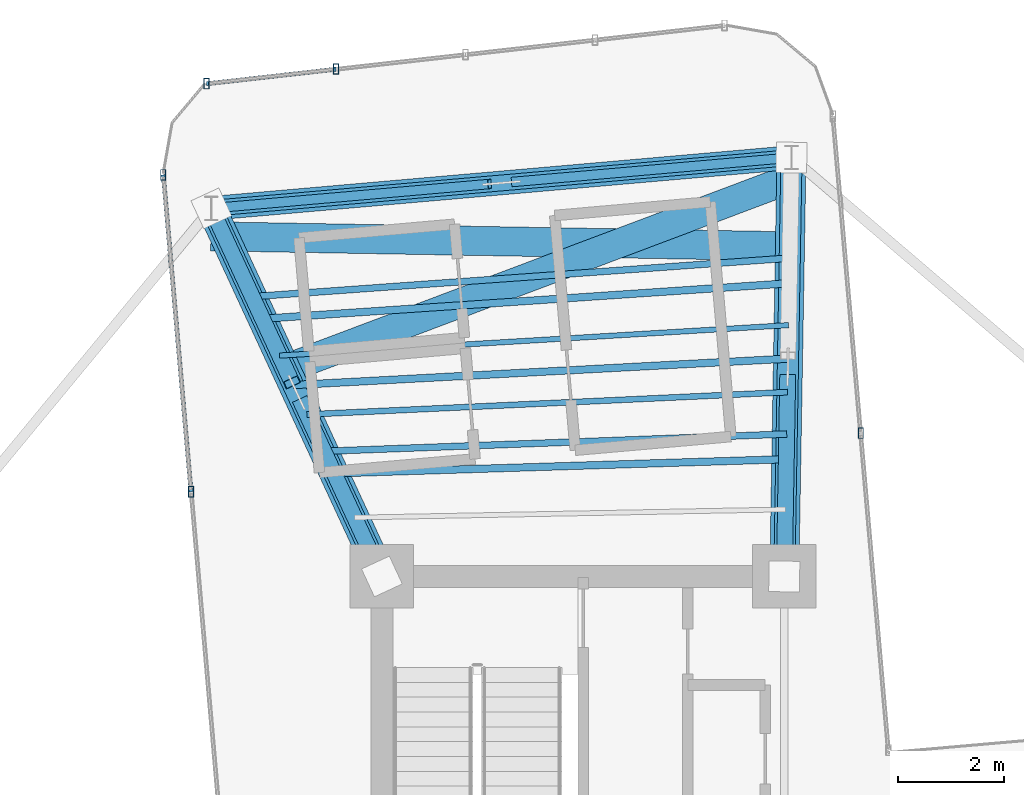
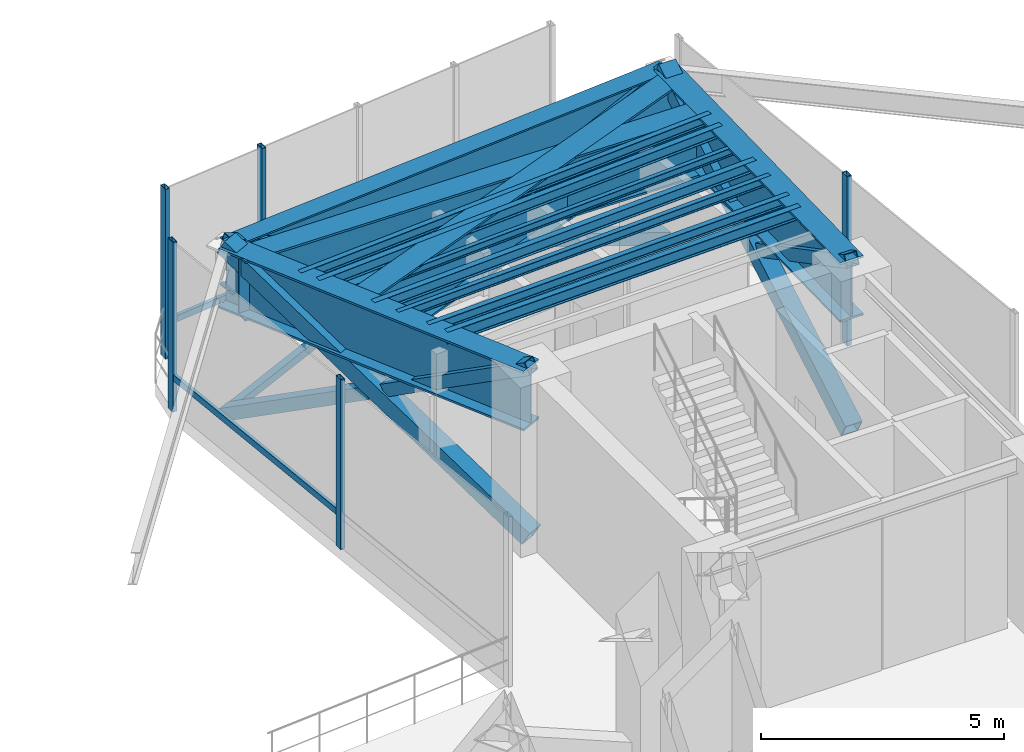
# One storey, part 9 of 17: 15 members, 12 beams, 3 elements without a shape of their own.
"""IFC4 building model written with IfcOpenShell, lengths in metres."""

from ifc_helpers import new_model, si_unit, direction, frame, origin, origin_2d, place, context, subcontext, project, spatial, hollow_rectangle, i_section, extrude, source, transform, mapped, material, material_profile, profile_set, type_object, element, aggregate, save


model = new_model("IFC4")

# Units and contexts
model_context = context("Model", 3, precision=1e-05, world=origin(), true_north=direction((0.0, 1.0)))
body_context = subcontext(model_context, "Body", "Model", "MODEL_VIEW")
ifc_project = project(units=[si_unit("LENGTHUNIT", "METRE"), si_unit("AREAUNIT", "SQUARE_METRE"), si_unit("VOLUMEUNIT", "CUBIC_METRE"), si_unit("PLANEANGLEUNIT", "RADIAN"), si_unit("MASSUNIT", "GRAM", prefix="KILO")], contexts=[model_context])

# Site, building, storey
site_placement = place(None, origin())
site = spatial("IfcSite", under=ifc_project, at=site_placement, CompositionType="ELEMENT")
building_placement = place(site_placement, origin())
building = spatial("IfcBuilding", under=site, at=building_placement, Name="Sahyath Konkavel Grand Hotel", CompositionType="ELEMENT")
storey_placement = place(building_placement, frame((0.0, 0.0, 202.0)))
storey = spatial("IfcBuildingStorey", under=building, at=storey_placement, Name="L56", CompositionType="ELEMENT", Elevation=202.0)

# Beams
ifc_material_1 = material(Name="Steel E350", Category="steel")
ifc_material_profile_1 = material_profile(ifc_material_1, i_section(OverallWidth=0.139892578125, OverallDepth=0.300048828125, WebThickness=0.0078125, FlangeThickness=0.01318359375, FilletRadius=0.013916015625, at=origin_2d()), Name="ISMB 300")
ifc_profile_set_1 = profile_set([ifc_material_profile_1], Name="Steel E350")
beam_type_1 = type_object("IfcBeamType", Name="BM-ISMB300", PredefinedType="BEAM", material=ifc_profile_set_1)
shared_shape_1 = source(origin(), body_context, "Body", "SweptSolid", [
    extrude(i_section(OverallWidth=0.139892578125, OverallDepth=0.300048828125, WebThickness=0.0078125, FlangeThickness=0.01318359375, FilletRadius=0.013916015625, at=origin_2d()), origin(), (0.0, 0.0, 1.0), 8.54443359375),
])
beam_1_placement = place(storey_placement, frame((3.838134765625, 12.415283203125, 4.110107421875), z_axis=(-0.999506849365, -0.031401561632, 0.0), x_axis=(0.031401561632, -0.999506849365, 0.0)))
element("IfcBeam", 1, at=beam_1_placement, inside=storey, type_object=beam_type_1, Name="L56 Secondary Floor Beam N-1", PredefinedType="BEAM", context=body_context, shape_type="MappedRepresentation", body=[
    mapped(shared_shape_1, transform((0.0, 0.0, 0.0), scale=1.0)),
])
ifc_material_profile_2 = material_profile(ifc_material_1, i_section(OverallWidth=0.139892578125, OverallDepth=0.27490234375, WebThickness=0.00634765625, FlangeThickness=0.0087890625, FilletRadius=0.012939453125, at=origin_2d()), Name="ISLB 275")
ifc_profile_set_2 = profile_set([ifc_material_profile_2], Name="Steel E350")
beam_type_2 = type_object("IfcBeamType", Name="BM-ISLB275", PredefinedType="BEAM", material=ifc_profile_set_2)
shared_shape_2 = source(origin(), body_context, "Body", "SweptSolid", [
    extrude(i_section(OverallWidth=0.139892578125, OverallDepth=0.27490234375, WebThickness=0.00634765625, FlangeThickness=0.0087890625, FilletRadius=0.012939453125, at=origin_2d()), origin(), (0.0, 0.0, 1.0), 9.359375),
])
beam_2_placement = place(storey_placement, frame((3.870849609375, 14.314208984375, 4.12255859375), z_axis=(-0.998580397723, -0.053265272769, 0.0), x_axis=(0.053265272769, -0.998580397723, 0.0)))
element("IfcBeam", 2, at=beam_2_placement, inside=storey, type_object=beam_type_2, Name="L56 Secondary Floor Beam N-2", PredefinedType="BEAM", context=body_context, shape_type="MappedRepresentation", body=[
    mapped(shared_shape_2, transform((0.0, 0.0, 0.0), scale=1.0)),
])
ifc_material_profile_3 = material_profile(ifc_material_1, i_section(OverallWidth=0.125, OverallDepth=0.25, WebThickness=0.0068359375, FlangeThickness=0.012451171875, FilletRadius=0.012939453125, at=origin_2d()), Name="ISMB 250")
ifc_profile_set_3 = profile_set([ifc_material_profile_3], Name="Steel E350")
beam_type_3 = type_object("IfcBeamType", Name="BM-ISMB250", PredefinedType="BEAM", material=ifc_profile_set_3)
shared_shape_3 = source(origin(), body_context, "Body", "SweptSolid", [
    extrude(i_section(OverallWidth=0.125, OverallDepth=0.25, WebThickness=0.0068359375, FlangeThickness=0.012451171875, FilletRadius=0.012939453125, at=origin_2d()), origin(), (0.0, 0.0, 1.0), 10.178466796875),
])
beam_3_placement = place(storey_placement, frame((3.90380859375, 16.213134765625, 4.135009765625), z_axis=(-0.997435268886, -0.071574327683, 0.0), x_axis=(0.071574327683, -0.997435268886, 0.0)))
element("IfcBeam", 3, at=beam_3_placement, inside=storey, type_object=beam_type_3, Name="L56 Secondary Floor Beam N-3", PredefinedType="BEAM", context=body_context, shape_type="MappedRepresentation", body=[
    mapped(shared_shape_3, transform((0.0, 0.0, 0.0), scale=1.0)),
])
ifc_material_2 = material(Name="Steel E450", Category="steel")
ifc_material_profile_4 = material_profile(ifc_material_2, i_section(OverallWidth=0.550048828125, OverallDepth=1.5, WebThickness=0.028076171875, FlangeThickness=0.050048828125, at=origin_2d()), Name="BPG 1500x550")
ifc_profile_set_4 = profile_set([ifc_material_profile_4], Name="Steel E450")
beam_type_4 = type_object("IfcBeamType", Name="BM-BPG1500", PredefinedType="BEAM", material=ifc_profile_set_4)
shared_shape_4 = source(origin(), body_context, "Body", "SweptSolid", [
    extrude(i_section(OverallWidth=0.550048828125, OverallDepth=1.5, WebThickness=0.028076171875, FlangeThickness=0.050048828125, at=origin_2d()), origin(), (0.0, 0.0, 1.0), 7.913330078125),
])
beam_4_placement = place(storey_placement, frame((3.800048828125, 10.199951171875, 3.510009765625), z_axis=(0.017215419232, 0.999851803689, 0.0), x_axis=(-0.999851803689, 0.017215419232, 0.0)))
element("IfcBeam", 4, at=beam_4_placement, inside=storey, type_object=beam_type_4, Name="L56 Setback Transfer Girder NA", PredefinedType="BEAM", context=body_context, shape_type="MappedRepresentation", body=[
    mapped(shared_shape_4, transform((0.0, 0.0, 0.0), scale=1.0)),
])
shared_shape_5 = source(origin(), body_context, "Body", "SweptSolid", [
    extrude(i_section(OverallWidth=0.550048828125, OverallDepth=1.5, WebThickness=0.028076171875, FlangeThickness=0.050048828125, at=origin_2d()), origin(), (0.0, 0.0, 1.0), 7.66357421875),
])
beam_5_placement = place(storey_placement, frame((-3.800048828125, 10.199951171875, 3.510009765625), z_axis=(-0.420395127561, 0.907341135804, 0.0), x_axis=(-0.907341135804, -0.420395127561, 0.0)))
element("IfcBeam", 5, at=beam_5_placement, inside=storey, type_object=beam_type_4, Name="L56 Setback Transfer Girder NB", PredefinedType="BEAM", context=body_context, shape_type="MappedRepresentation", body=[
    mapped(shared_shape_5, transform((0.0, 0.0, 0.0), scale=1.0)),
])
shared_shape_6 = source(origin(), body_context, "Body", "SweptSolid", [
    extrude(i_section(OverallWidth=0.550048828125, OverallDepth=1.5, WebThickness=0.028076171875, FlangeThickness=0.050048828125, at=origin_2d()), origin(), (0.0, 0.0, 1.0), 10.200927734375),
])
beam_6_placement = place(storey_placement, frame((3.9296875, 17.71630859375, 3.510009765625), z_axis=(-0.935879914004, -0.35231915441, 0.0), x_axis=(0.35231915441, -0.935879914004, 0.0)))
element("IfcBeam", 6, at=beam_6_placement, inside=storey, type_object=beam_type_4, Name="L56 Setback Cross Transfer Girder N-1", PredefinedType="BEAM", context=body_context, shape_type="MappedRepresentation", body=[
    mapped(shared_shape_6, transform((0.0, 0.0, 0.0), scale=1.0)),
])
shared_shape_7 = source(origin(), body_context, "Body", "SweptSolid", [
    extrude(i_section(OverallWidth=0.550048828125, OverallDepth=1.5, WebThickness=0.028076171875, FlangeThickness=0.050048828125, at=origin_2d()), origin(), (0.0, 0.0, 1.0), 10.939208984375),
])
beam_7_placement = place(storey_placement, frame((3.907470703125, 16.43603515625, 3.510009765625), z_axis=(-0.999851559685, 0.017229584912, 0.0), x_axis=(-0.017229584912, -0.999851559685, 0.0)))
element("IfcBeam", 7, at=beam_7_placement, inside=storey, type_object=beam_type_4, Name="L56 Setback Cross Transfer Girder N-2", PredefinedType="BEAM", context=body_context, shape_type="MappedRepresentation", body=[
    mapped(shared_shape_7, transform((0.0, 0.0, 0.0), scale=1.0)),
])
ifc_material_profile_5 = material_profile(ifc_material_2, i_section(OverallWidth=0.449951171875, OverallDepth=1.199951171875, WebThickness=0.02197265625, FlangeThickness=0.0400390625, at=origin_2d()), Name="BPG 1200x450")
ifc_profile_set_5 = profile_set([ifc_material_profile_5], Name="Steel E450")
beam_type_5 = type_object("IfcBeamType", Name="BM-BPG1200", PredefinedType="BEAM", material=ifc_profile_set_5)
shared_shape_8 = source(origin(), body_context, "Body", "SweptSolid", [
    extrude(i_section(OverallWidth=0.449951171875, OverallDepth=1.199951171875, WebThickness=0.02197265625, FlangeThickness=0.0400390625, at=origin_2d()), origin(), (0.0, 0.0, 1.0), 10.999755859375),
])
beam_8_placement = place(storey_placement, frame((3.936279296875, 18.112060546875, 3.659912109375), z_axis=(-0.99619439202, -0.087159241098, 0.0), x_axis=(0.087159241098, -0.99619439202, 0.0)))
element("IfcBeam", 8, at=beam_8_placement, inside=storey, type_object=beam_type_5, Name="L56 Wing Tip Edge Beam N", PredefinedType="BEAM", context=body_context, shape_type="MappedRepresentation", body=[
    mapped(shared_shape_8, transform((0.0, 0.0, 0.0), scale=1.0)),
])

# Members
ifc_material_profile_6 = material_profile(ifc_material_2, hollow_rectangle(XDim=0.39990234375, YDim=0.39990234375, WallThickness=0.02001953125, at=origin_2d()), Name="SHS 400x400x20")
ifc_profile_set_6 = profile_set([ifc_material_profile_6], Name="Steel E450")
member_type_1 = type_object("IfcMemberType", Name="BR-SHS400", PredefinedType="BRACE", material=ifc_profile_set_6)
shared_shape_9 = source(origin(), body_context, "Body", "SweptSolid", [
    extrude(hollow_rectangle(XDim=0.39990234375, YDim=0.39990234375, WallThickness=0.02001953125, at=origin_2d()), origin(), (0.0, 0.0, 1.0), 8.9775390625),
])
member_1_placement = place(storey_placement, frame((3.800048828125, 10.199951171875, 0.010009765625), z_axis=(0.015174462927, 0.881315402389, 0.472284762814), x_axis=(-0.999851803689, 0.017215419232, 0.0)))
element("IfcMember", 9, at=member_1_placement, inside=storey, type_object=member_type_1, Name="L56 Core Outrigger Truss NA Continuous Diagonal 1", PredefinedType="BRACE", context=body_context, shape_type="MappedRepresentation", body=[
    mapped(shared_shape_9, transform((0.0, 0.0, 0.0), scale=1.0)),
])
ifc_material_profile_7 = material_profile(ifc_material_2, hollow_rectangle(XDim=0.300048828125, YDim=0.300048828125, WallThickness=0.01611328125, at=origin_2d()), Name="SHS 300x300x16")
ifc_profile_set_7 = profile_set([ifc_material_profile_7], Name="Steel E450")
member_type_2 = type_object("IfcMemberType", Name="BR-SHS300", PredefinedType="BRACE", material=ifc_profile_set_7)
shared_shape_10 = source(origin(), body_context, "Body", "SweptSolid", [
    extrude(hollow_rectangle(XDim=0.300048828125, YDim=0.300048828125, WallThickness=0.01611328125, at=origin_2d()), origin(), (0.0, 0.0, 1.0), 4.248779296875),
])
member_2_placement = place(storey_placement, frame((3.864501953125, 13.944580078125, 2.243408203125), z_axis=(-0.015169510515, -0.881325576791, 0.472265935301), x_axis=(0.999851903803, -0.017209603769, 0.0)))
element("IfcMember", 10, at=member_2_placement, inside=storey, type_object=member_type_2, Name="L56 Core Outrigger Truss NA Split Upper Diagonal 2B", PredefinedType="BRACE", context=body_context, shape_type="MappedRepresentation", body=[
    mapped(shared_shape_10, transform((0.0, 0.0, 0.0), scale=1.0)),
])
shared_shape_11 = source(origin(), body_context, "Body", "SweptSolid", [
    extrude(hollow_rectangle(XDim=0.39990234375, YDim=0.39990234375, WallThickness=0.02001953125, at=origin_2d()), origin(), (0.0, 0.0, 1.0), 8.75830078125),
])
member_3_placement = place(storey_placement, frame((-3.800048828125, 10.199951171875, 0.010009765625), z_axis=(-0.367847209231, 0.793926672183, 0.484116587051), x_axis=(-0.907341135804, -0.420395127561, 0.0)))
element("IfcMember", 11, at=member_3_placement, inside=storey, type_object=member_type_1, Name="L56 Core Outrigger Truss NB Continuous Diagonal 1", PredefinedType="BRACE", context=body_context, shape_type="MappedRepresentation", body=[
    mapped(shared_shape_11, transform((0.0, 0.0, 0.0), scale=1.0)),
])
shared_shape_12 = source(origin(), body_context, "Body", "SweptSolid", [
    extrude(hollow_rectangle(XDim=0.300048828125, YDim=0.300048828125, WallThickness=0.01611328125, at=origin_2d()), origin(), (0.0, 0.0, 1.0), 4.13916015625),
])
for number, where, z_axis, x_axis, name in (
    (12, (-7.021728515625, 17.1533203125, 0.010009765625), (0.367874640481, -0.793906150533, 0.484129396997), (0.90732503192, 0.420429882919, 0.0), "L56 Core Outrigger Truss NB Split Lower Diagonal 2A"),
    (13, (-5.322509765625, 13.486083984375, 2.24609375), (0.367823638417, -0.793923376057, 0.484139901239), (0.907350745228, 0.420374386868, 0.0), "L56 Core Outrigger Truss NB Split Upper Diagonal 2B"),
):
    element("IfcMember", number, at=place(storey_placement, frame(where, z_axis=z_axis, x_axis=x_axis)), inside=storey, type_object=member_type_2, Name=name, PredefinedType="BRACE", context=body_context, shape_type="MappedRepresentation", body=[
        mapped(shared_shape_12, transform((0.0, 0.0, 0.0), scale=1.0)),
    ])
shared_shape_13 = source(origin(), body_context, "Body", "SweptSolid", [
    extrude(hollow_rectangle(XDim=0.300048828125, YDim=0.300048828125, WallThickness=0.01611328125, at=origin_2d()), origin(), (0.0, 0.0, 1.0), 11.788818359375),
])
member_4_placement = place(storey_placement, frame((3.936279296875, 18.112060546875, 0.010009765625), z_axis=(-0.929530906183, -0.081326705921, 0.359664095171), x_axis=(0.087159241098, -0.99619439202, 0.0)))
element("IfcMember", 14, at=member_4_placement, inside=storey, type_object=member_type_2, Name="L56 Perimeter Belt Truss TIP-N Continuous Diagonal 1", PredefinedType="BRACE", context=body_context, shape_type="MappedRepresentation", body=[
    mapped(shared_shape_13, transform((0.0, 0.0, 0.0), scale=1.0)),
])
ifc_material_profile_8 = material_profile(ifc_material_1, hollow_rectangle(XDim=0.179931640625, YDim=0.179931640625, WallThickness=0.010009765625, at=origin_2d()), Name="SHS 180x180x10")
ifc_profile_set_8 = profile_set([ifc_material_profile_8], Name="Steel E350")
member_type_3 = type_object("IfcMemberType", Name="BR-SHS180", PredefinedType="BRACE", material=ifc_profile_set_8)
shared_shape_14 = source(origin(), body_context, "Body", "SweptSolid", [
    extrude(hollow_rectangle(XDim=0.179931640625, YDim=0.179931640625, WallThickness=0.010009765625, at=origin_2d()), origin(), (0.0, 0.0, 1.0), 5.654541015625),
])
member_5_placement = place(storey_placement, frame((-7.021728515625, 17.1533203125, 0.010009765625), z_axis=(0.929536280212, 0.081300423412, 0.35965614818), x_axis=(-0.087130787637, 0.996196881066, 0.0)))
element("IfcMember", 15, at=member_5_placement, inside=storey, type_object=member_type_3, Name="L56 Perimeter Belt Truss TIP-N Split Lower Diagonal 2A", PredefinedType="BRACE", context=body_context, shape_type="MappedRepresentation", body=[
    mapped(shared_shape_14, transform((0.0, 0.0, 0.0), scale=1.0)),
])
shared_shape_15 = source(origin(), body_context, "Body", "SweptSolid", [
    extrude(hollow_rectangle(XDim=0.179931640625, YDim=0.179931640625, WallThickness=0.010009765625, at=origin_2d()), origin(), (0.0, 0.0, 1.0), 5.654296875),
])
member_6_placement = place(storey_placement, frame((-1.319580078125, 17.652099609375, 2.21630859375), z_axis=(0.929527145574, 0.081346578515, 0.359669320078), x_axis=(-0.087180727075, 0.996192511931, 0.0)))
element("IfcMember", 16, at=member_6_placement, inside=storey, type_object=member_type_3, Name="L56 Perimeter Belt Truss TIP-N Split Upper Diagonal 2B", PredefinedType="BRACE", context=body_context, shape_type="MappedRepresentation", body=[
    mapped(shared_shape_15, transform((0.0, 0.0, 0.0), scale=1.0)),
])

# Beams
shared_shape_16 = source(origin(), body_context, "Body", "SweptSolid", [
    extrude(i_section(OverallWidth=0.125, OverallDepth=0.25, WebThickness=0.0068359375, FlangeThickness=0.012451171875, FilletRadius=0.012939453125, at=origin_2d()), origin(), (0.0, 0.0, 1.0), 8.748046875),
])
beam_9_placement = place(storey_placement, frame((3.846435546875, 12.89013671875, 4.135009765625), z_axis=(-0.999305704761, -0.037257327223, 0.0), x_axis=(0.037257327223, -0.999305704761, 0.0)))
element("IfcBeam", 17, at=beam_9_placement, inside=storey, type_object=beam_type_3, Name="L56 Composite Deck Sub-Beam N-2", PredefinedType="BEAM", context=body_context, shape_type="MappedRepresentation", body=[
    mapped(shared_shape_16, transform((0.0, 0.0, 0.0), scale=1.0)),
])
ifc_material_profile_9 = material_profile(ifc_material_1, i_section(OverallWidth=0.110107421875, OverallDepth=0.22509765625, WebThickness=0.006591796875, FlangeThickness=0.01171875, FilletRadius=0.011962890625, at=origin_2d()), Name="ISMB 225")
ifc_profile_set_9 = profile_set([ifc_material_profile_9], Name="Steel E350")
beam_type_6 = type_object("IfcBeamType", Name="BM-ISMB225", PredefinedType="BEAM", material=ifc_profile_set_9)
shared_shape_17 = source(origin(), body_context, "Body", "SweptSolid", [
    extrude(i_section(OverallWidth=0.110107421875, OverallDepth=0.22509765625, WebThickness=0.006591796875, FlangeThickness=0.01171875, FilletRadius=0.011962890625, at=origin_2d()), origin(), (0.0, 0.0, 1.0), 9.08740234375),
])
beam_10_placement = place(storey_placement, frame((3.860107421875, 13.681396484375, 4.1474609375), z_axis=(-0.998921825199, -0.046423993167, 0.0), x_axis=(0.046423993167, -0.998921825199, 0.0)))
element("IfcBeam", 18, at=beam_10_placement, inside=storey, type_object=beam_type_6, Name="L56 Composite Deck Sub-Beam N-3", PredefinedType="BEAM", context=body_context, shape_type="MappedRepresentation", body=[
    mapped(shared_shape_17, transform((0.0, 0.0, 0.0), scale=1.0)),
])
ifc_material_profile_10 = material_profile(ifc_material_1, i_section(OverallWidth=0.10009765625, OverallDepth=0.199951171875, WebThickness=0.005615234375, FlangeThickness=0.0107421875, FilletRadius=0.010986328125, at=origin_2d()), Name="ISMB 200")
ifc_profile_set_10 = profile_set([ifc_material_profile_10], Name="Steel E350")
beam_type_7 = type_object("IfcBeamType", Name="BM-ISMB200", PredefinedType="BEAM", material=ifc_profile_set_10)
shared_shape_18 = source(origin(), body_context, "Body", "SweptSolid", [
    extrude(i_section(OverallWidth=0.10009765625, OverallDepth=0.199951171875, WebThickness=0.005615234375, FlangeThickness=0.0107421875, FilletRadius=0.010986328125, at=origin_2d()), origin(), (0.0, 0.0, 1.0), 9.6318359375),
])
beam_11_placement = place(storey_placement, frame((3.8818359375, 14.947265625, 4.159912109375), z_axis=(-0.998215316487, -0.059717517791, 0.0), x_axis=(0.059717517791, -0.998215316487, 0.0)))
element("IfcBeam", 19, at=beam_11_placement, inside=storey, type_object=beam_type_7, Name="L56 Composite Deck Sub-Beam N-4", PredefinedType="BEAM", context=body_context, shape_type="MappedRepresentation", body=[
    mapped(shared_shape_18, transform((0.0, 0.0, 0.0), scale=1.0)),
])
shared_shape_19 = source(origin(), body_context, "Body", "SweptSolid", [
    extrude(i_section(OverallWidth=0.139892578125, OverallDepth=0.27490234375, WebThickness=0.00634765625, FlangeThickness=0.0087890625, FilletRadius=0.012939453125, at=origin_2d()), origin(), (0.0, 0.0, 1.0), 9.973388671875),
])
beam_12_placement = place(storey_placement, frame((3.8955078125, 15.73828125, 4.12255859375), z_axis=(-0.997734833375, -0.067269623684, 0.0), x_axis=(0.067269623684, -0.997734833375, 0.0)))
element("IfcBeam", 20, at=beam_12_placement, inside=storey, type_object=beam_type_2, Name="L56 Composite Deck Sub-Beam N-5", PredefinedType="BEAM", context=body_context, shape_type="MappedRepresentation", body=[
    mapped(shared_shape_19, transform((0.0, 0.0, 0.0), scale=1.0)),
])

# Curtain wall, member
ifc_material_3 = material(Name="Anodised Bronze Aluminium & Low-E Glazing", Category="aluminium")
curtain_wall_type = type_object("IfcCurtainWallType", Name="CW-SKYLOBBY", PredefinedType="NOTDEFINED", material=ifc_material_3)
curtain_wall_1_placement = place(storey_placement, origin())
curtain_wall_1 = element("IfcCurtainWall", 21, at=curtain_wall_1_placement, inside=storey, type_object=curtain_wall_type, Name="L56 Unitised Curtain Wall RF8", PredefinedType="NOTDEFINED")
ifc_material_4 = material(Name="Anodised Bronze Aluminium", Category="aluminium")
ifc_material_profile_11 = material_profile(ifc_material_4, hollow_rectangle(XDim=0.10009765625, YDim=0.199951171875, WallThickness=0.008056640625, at=origin_2d()), Name="RHS 200x100x8")
ifc_profile_set_11 = profile_set([ifc_material_profile_11], Name="Anodised Bronze Aluminium")
member_type_4 = type_object("IfcMemberType", Name="CW-MUL-200", PredefinedType="MULLION", material=ifc_profile_set_11)
shared_shape_20 = source(origin(), body_context, "Body", "SweptSolid", [
    extrude(hollow_rectangle(XDim=0.10009765625, YDim=0.199951171875, WallThickness=0.008056640625, at=origin_2d()), origin(), (0.0, 0.0, 1.0), 4.260009765625),
])
member_7_placement = place(storey_placement, frame((5.2451171875, 12.90625, 0.0), z_axis=(0.0, 0.0, 1.0), x_axis=(1.0, 0.0, 0.0)))
member_7 = element("IfcMember", 22, at=member_7_placement, type_object=member_type_4, Name="L56 Curtain Wall Mullion RF8-1", PredefinedType="MULLION", context=body_context, shape_type="MappedRepresentation", body=[
    mapped(shared_shape_20, transform((0.0, 0.0, 0.0), scale=1.0)),
])
aggregate(curtain_wall_1, [member_7])

# Curtain wall, members
curtain_wall_2_placement = place(storey_placement, origin())
curtain_wall_2 = element("IfcCurtainWall", 23, at=curtain_wall_2_placement, inside=storey, type_object=curtain_wall_type, Name="L56 Unitised Curtain Wall RF12", PredefinedType="NOTDEFINED")
member_8_placement = place(storey_placement, frame((-4.665771484375, 19.783203125, 0.0), z_axis=(0.0, 0.0, 1.0), x_axis=(1.0, 0.0, 0.0)))
member_8 = element("IfcMember", 24, at=member_8_placement, type_object=member_type_4, Name="L56 Curtain Wall Mullion RF12-3", PredefinedType="MULLION", context=body_context, shape_type="MappedRepresentation", body=[
    mapped(shared_shape_20, transform((0.0, 0.0, 0.0), scale=1.0)),
])
member_9_placement = place(storey_placement, frame((-7.1123046875, 19.507568359375, 0.0), z_axis=(0.0, 0.0, 1.0), x_axis=(1.0, 0.0, 0.0)))
member_9 = element("IfcMember", 25, at=member_9_placement, type_object=member_type_4, Name="L56 Curtain Wall Mullion RF12-4", PredefinedType="MULLION", context=body_context, shape_type="MappedRepresentation", body=[
    mapped(shared_shape_20, transform((0.0, 0.0, 0.0), scale=1.0)),
])

curtain_wall_3_placement = place(storey_placement, origin())
curtain_wall_3 = element("IfcCurtainWall", 26, at=curtain_wall_3_placement, inside=storey, type_object=curtain_wall_type, Name="L56 Unitised Curtain Wall RF15", PredefinedType="NOTDEFINED")
member_10_placement = place(storey_placement, frame((-7.930419921875, 17.78662109375, 0.0), z_axis=(0.0, 0.0, 1.0), x_axis=(1.0, 0.0, 0.0)))
member_10 = element("IfcMember", 27, at=member_10_placement, type_object=member_type_4, Name="L56 Curtain Wall Mullion RF15-0", PredefinedType="MULLION", context=body_context, shape_type="MappedRepresentation", body=[
    mapped(shared_shape_20, transform((0.0, 0.0, 0.0), scale=1.0)),
])
member_11_placement = place(storey_placement, frame((-7.406494140625, 11.79931640625, 0.0), z_axis=(0.0, 0.0, 1.0), x_axis=(1.0, 0.0, 0.0)))
member_11 = element("IfcMember", 28, at=member_11_placement, type_object=member_type_4, Name="L56 Curtain Wall Mullion RF15-1", PredefinedType="MULLION", context=body_context, shape_type="MappedRepresentation", body=[
    mapped(shared_shape_20, transform((0.0, 0.0, 0.0), scale=1.0)),
])

# Member
ifc_material_profile_12 = material_profile(ifc_material_4, hollow_rectangle(XDim=0.080078125, YDim=0.159912109375, WallThickness=0.006103515625, at=origin_2d()), Name="RHS 160x80x6")
ifc_profile_set_12 = profile_set([ifc_material_profile_12], Name="Anodised Bronze Aluminium")
member_type_5 = type_object("IfcMemberType", Name="CW-TRN-160", PredefinedType="USERDEFINED", material=ifc_profile_set_12)
shared_shape_21 = source(origin(), body_context, "Body", "SweptSolid", [
    extrude(hollow_rectangle(XDim=0.080078125, YDim=0.159912109375, WallThickness=0.006103515625, at=origin_2d()), origin(), (0.0, 0.0, 1.0), 2.4619140625),
])
member_12_placement = place(storey_placement, frame((-4.665771484375, 19.783203125, 0.85009765625), z_axis=(-0.993713263833, -0.111955121731, 0.0), x_axis=(0.111955121731, -0.993713263833, 0.0)))
member_12 = element("IfcMember", 29, at=member_12_placement, type_object=member_type_5, Name="L56 Curtain Wall Transom RF12-3-spandrel", ObjectType="TRANSOM", PredefinedType="USERDEFINED", context=body_context, shape_type="MappedRepresentation", body=[
    mapped(shared_shape_21, transform((0.0, 0.0, 0.0), scale=1.0)),
])

aggregate(curtain_wall_2, [member_8, member_9, member_12])

shared_shape_22 = source(origin(), body_context, "Body", "SweptSolid", [
    extrude(hollow_rectangle(XDim=0.080078125, YDim=0.159912109375, WallThickness=0.006103515625, at=origin_2d()), origin(), (0.0, 0.0, 1.0), 6.01025390625),
])
member_13_placement = place(storey_placement, frame((-7.930419921875, 17.78662109375, 0.85009765625), z_axis=(0.087172997156, -0.996193188376, 0.0), x_axis=(0.996193188376, 0.087172997156, 0.0)))
member_13 = element("IfcMember", 30, at=member_13_placement, type_object=member_type_5, Name="L56 Curtain Wall Transom RF15-0-spandrel", ObjectType="TRANSOM", PredefinedType="USERDEFINED", context=body_context, shape_type="MappedRepresentation", body=[
    mapped(shared_shape_22, transform((0.0, 0.0, 0.0), scale=1.0)),
])

aggregate(curtain_wall_3, [member_10, member_11, member_13])

save(model, "model.ifc")
